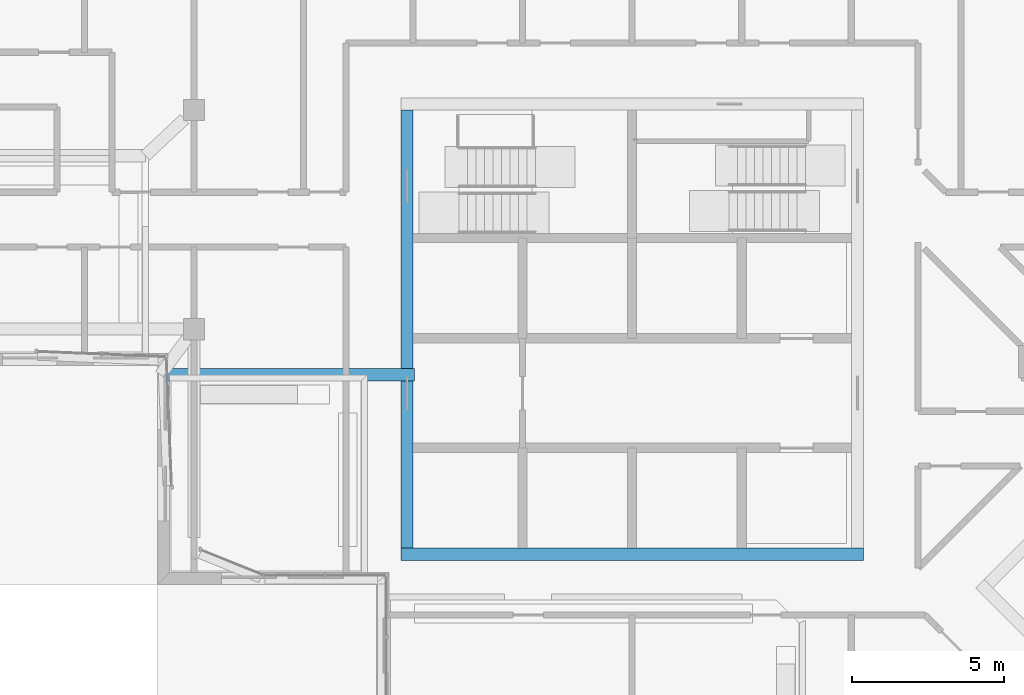
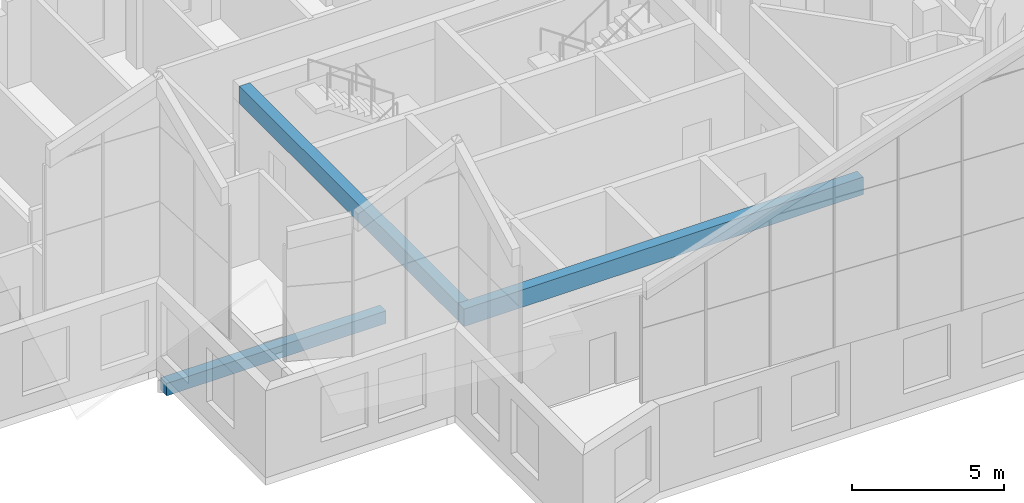
# One storey, part 4 of 20: 3 beams.
"""IFC4 building model written with IfcOpenShell, lengths in metres."""

from ifc_helpers import new_model, si_unit, direction, frame, origin, origin_2d, place, context, subcontext, project, spatial, rectangle, extrude, material, material_profile, profile_set, type_object, element, save


model = new_model("IFC4")

# Units and contexts
model_context = context("Model", 3, precision=1e-05, world=origin(), true_north=direction((0.0, 1.0)))
body_context = subcontext(model_context, "Body", "Model", "MODEL_VIEW")
ifc_project = project(units=[si_unit("LENGTHUNIT", "METRE"), si_unit("AREAUNIT", "SQUARE_METRE"), si_unit("VOLUMEUNIT", "CUBIC_METRE"), si_unit("PLANEANGLEUNIT", "RADIAN"), si_unit("MASSUNIT", "GRAM", prefix="KILO")], contexts=[model_context])

# Site, building, storey
site_placement = place(None, origin())
site = spatial("IfcSite", under=ifc_project, at=site_placement, CompositionType="ELEMENT")
building_placement = place(site_placement, origin())
building = spatial("IfcBuilding", under=site, at=building_placement, Name="Windrow Commons", CompositionType="ELEMENT")
storey_placement = place(building_placement, frame((0.0, 0.0, 290.6)))
storey = spatial("IfcBuildingStorey", under=building, at=storey_placement, Name="L79", CompositionType="ELEMENT", Elevation=290.6)

# Beams
ifc_material_1 = material(Name="Concrete C40/50", Category="concrete")
ifc_material_profile_1 = material_profile(ifc_material_1, rectangle(XDim=0.4, YDim=0.7, at=origin_2d()))
ifc_profile_set_1 = profile_set([ifc_material_profile_1], Name="Concrete C40/50")
beam_type_1 = type_object("IfcBeamType", Name="RC COUPLING BEAM 400x700 C40/50", PredefinedType="LINTEL", material=ifc_profile_set_1)
beam_1_placement = place(storey_placement, frame((57.2, 50.2, 3.15), z_axis=(1.0, 0.0, 0.0), x_axis=(0.0, 1.0, 0.0)))
element("IfcBeam", 1, at=beam_1_placement, inside=storey, type_object=beam_type_1, Name="Core A coupling beam outer-S", PredefinedType="LINTEL", context=body_context, shape_type="SweptSolid", body=[
    extrude(rectangle(XDim=0.4, YDim=0.7, at=origin_2d()), origin(), (0.0, 0.0, 1.0), 15.2),
])
beam_2_placement = place(storey_placement, frame((57.4, 50.4, 3.15), z_axis=(0.0, 1.0, 0.0), x_axis=(-1.0, 0.0, 0.0)))
element("IfcBeam", 2, at=beam_2_placement, inside=storey, type_object=beam_type_1, Name="Core A coupling beam outer-W", PredefinedType="LINTEL", context=body_context, shape_type="SweptSolid", body=[
    extrude(rectangle(XDim=0.4, YDim=0.7, at=origin_2d()), origin(), (0.0, 0.0, 1.0), 14.4),
])
ifc_material_2 = material(Name="Concrete C40/50", Category="concrete")
ifc_material_profile_2 = material_profile(ifc_material_2, rectangle(XDim=0.4, YDim=0.5, at=origin_2d()))
ifc_profile_set_2 = profile_set([ifc_material_profile_2], Name="Concrete C40/50")
beam_type_2 = type_object("IfcBeamType", Name="RC EDGE BEAM 400x500 C40/50", PredefinedType="SPANDREL", material=ifc_profile_set_2)
beam_3_placement = place(storey_placement, frame((49.3, 56.1, -0.55), z_axis=(1.0, 0.0, 0.0), x_axis=(0.0, 1.0, 0.0)))
element("IfcBeam", 3, at=beam_3_placement, inside=storey, type_object=beam_type_2, Name="Terrace base beam TR-L79-3", PredefinedType="SPANDREL", context=body_context, shape_type="SweptSolid", body=[
    extrude(rectangle(XDim=0.4, YDim=0.5, at=origin_2d()), origin(), (0.0, 0.0, 1.0), 8.35),
])

save(model, "model.ifc")
